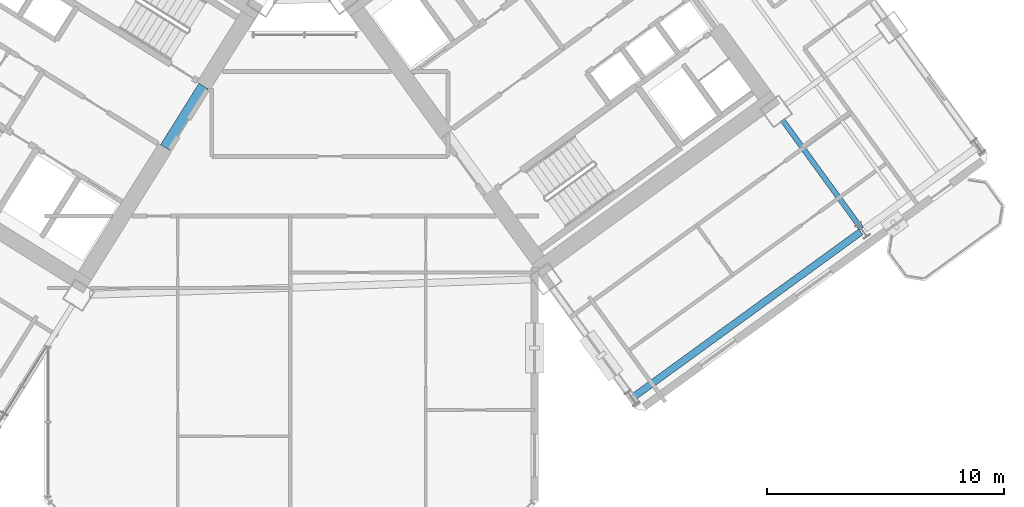
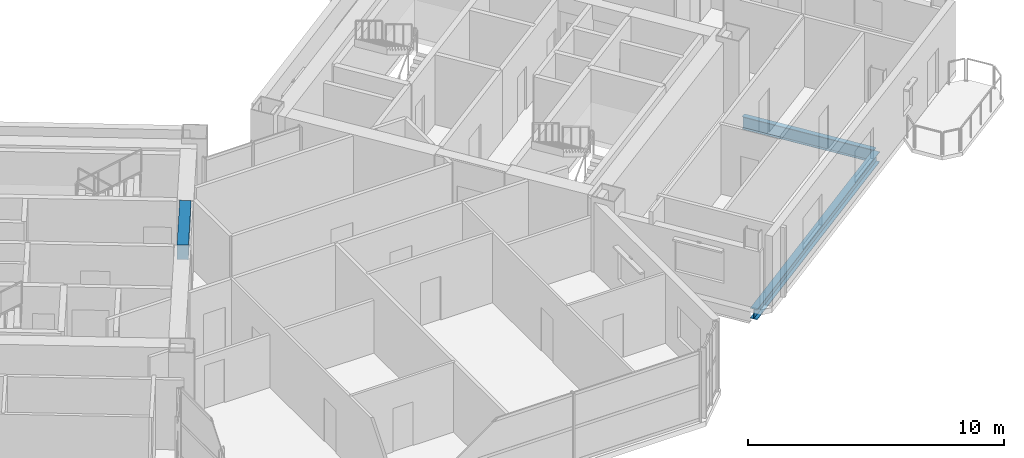
# One storey, part 10 of 25: 3 beams.
"""IFC4 building model written with IfcOpenShell, lengths in metres."""

from ifc_helpers import new_model, si_unit, direction, frame, origin, origin_2d, place, context, subcontext, project, spatial, rectangle, i_section, extrude, source, transform, mapped, material, material_profile, profile_set, type_object, element, save


model = new_model("IFC4")

# Units and contexts
model_context = context("Model", 3, precision=1e-05, world=origin(), true_north=direction((0.0, 1.0)))
body_context = subcontext(model_context, "Body", "Model", "MODEL_VIEW")
ifc_project = project(units=[si_unit("LENGTHUNIT", "METRE"), si_unit("AREAUNIT", "SQUARE_METRE"), si_unit("VOLUMEUNIT", "CUBIC_METRE"), si_unit("PLANEANGLEUNIT", "RADIAN"), si_unit("MASSUNIT", "GRAM", prefix="KILO")], contexts=[model_context])

# Site, building, storey
site_placement = place(None, origin())
site = spatial("IfcSite", under=ifc_project, at=site_placement, CompositionType="ELEMENT")
building_placement = place(site_placement, origin())
building = spatial("IfcBuilding", under=site, at=building_placement, Name="Tlacorven Tower", CompositionType="ELEMENT")
storey_placement = place(building_placement, frame((0.0, 0.0, 52.800048828125)))
storey = spatial("IfcBuildingStorey", under=building, at=storey_placement, Name="L13", CompositionType="ELEMENT", Elevation=52.800048828125)

# Beams
ifc_material_1 = material(Name="Concrete C60/75", Category="concrete")
ifc_material_profile_1 = material_profile(ifc_material_1, rectangle(XDim=0.449951171875, YDim=0.699951171875, at=origin_2d()), Name="RC 450X700")
ifc_profile_set_1 = profile_set([ifc_material_profile_1], Name="Concrete C60/75")
beam_type_1 = type_object("IfcBeamType", Name="BM-LNT-700", PredefinedType="LINTEL", material=ifc_profile_set_1)
shared_shape_1 = source(origin(), body_context, "Body", "SweptSolid", [
    extrude(rectangle(XDim=0.449951171875, YDim=0.699951171875, at=origin_2d()), origin(), (0.0, 0.0, 1.0), 3.050048828125),
])
beam_1_placement = place(storey_placement, frame((38.2998046875, 20.890625, 3.0), z_axis=(-0.529984549635, -0.848007297815, 0.0), x_axis=(0.848007297815, -0.529984549635, 0.0)))
element("IfcBeam", 1, at=beam_1_placement, inside=storey, type_object=beam_type_1, Name="L13 W core coupling lintel beam E1", PredefinedType="LINTEL", context=body_context, shape_type="MappedRepresentation", body=[
    mapped(shared_shape_1, transform((0.0, 0.0, 0.0), scale=1.0)),
])
ifc_material_2 = material(Name="Steel S355J2", Category="steel")
ifc_material_profile_2 = material_profile(ifc_material_2, i_section(OverallWidth=0.219970703125, OverallDepth=0.60009765625, WebThickness=0.011962890625, FlangeThickness=0.01904296875, at=origin_2d()), Name="IPE 600")
ifc_profile_set_2 = profile_set([ifc_material_profile_2], Name="Steel S355J2")
beam_type_2 = type_object("IfcBeamType", Name="BM-TWR-600", PredefinedType="BEAM", material=ifc_profile_set_2)
shared_shape_2 = source(origin(), body_context, "Body", "SweptSolid", [
    extrude(i_section(OverallWidth=0.219970703125, OverallDepth=0.60009765625, WebThickness=0.011962890625, FlangeThickness=0.01904296875, at=origin_2d()), origin(), (0.0, 0.0, 1.0), 5.64990234375),
])
beam_2_placement = place(storey_placement, frame((65.9990234375, 14.891845703125, -0.550048828125), z_axis=(-0.587755393186, 0.809038687444, 0.0), x_axis=(-0.809038687444, -0.587755393186, 0.0)))
element("IfcBeam", 2, at=beam_2_placement, inside=storey, type_object=beam_type_2, Name="L13 beam BM-L13-ET3-1", PredefinedType="BEAM", context=body_context, shape_type="MappedRepresentation", body=[
    mapped(shared_shape_2, transform((0.0, 0.0, 0.0), scale=1.0)),
])
ifc_material_profile_3 = material_profile(ifc_material_2, i_section(OverallWidth=0.300048828125, OverallDepth=0.489990234375, WebThickness=0.011962890625, FlangeThickness=0.02294921875, at=origin_2d()), Name="HEA 500")
ifc_profile_set_3 = profile_set([ifc_material_profile_3], Name="Steel S355J2")
beam_type_3 = type_object("IfcBeamType", Name="BM-SPN-500", PredefinedType="SPANDREL", material=ifc_profile_set_3)
shared_shape_3 = source(origin(), body_context, "Body", "SweptSolid", [
    extrude(i_section(OverallWidth=0.300048828125, OverallDepth=0.489990234375, WebThickness=0.011962890625, FlangeThickness=0.02294921875, at=origin_2d()), origin(), (0.0, 0.0, 1.0), 11.800048828125),
])
beam_3_placement = place(storey_placement, frame((56.4306640625, 7.816162109375, -0.4951171875), z_axis=(0.80900977213, 0.587795192732, 0.0), x_axis=(-0.587795192732, 0.80900977213, 0.0)))
element("IfcBeam", 3, at=beam_3_placement, inside=storey, type_object=beam_type_3, Name="L13 beam BM-L13-EL1-1", PredefinedType="SPANDREL", context=body_context, shape_type="MappedRepresentation", body=[
    mapped(shared_shape_3, transform((0.0, 0.0, 0.0), scale=1.0)),
])

save(model, "model.ifc")
